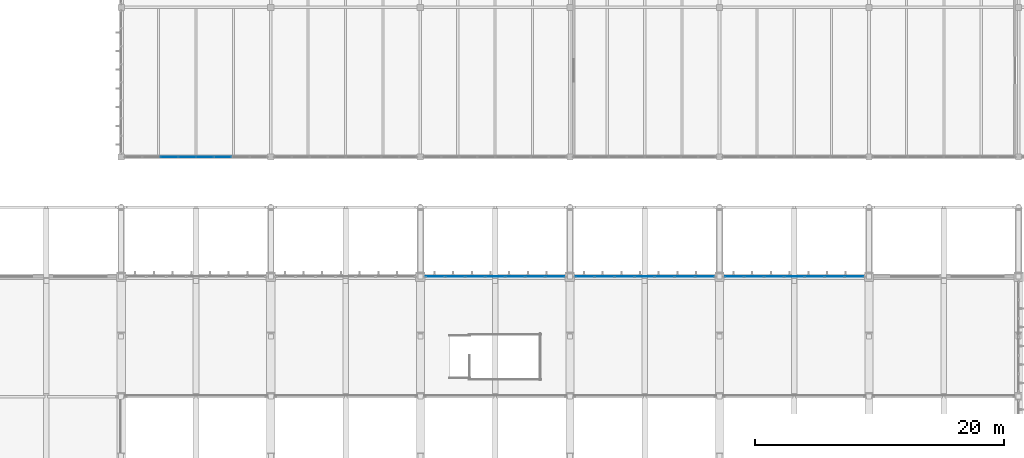
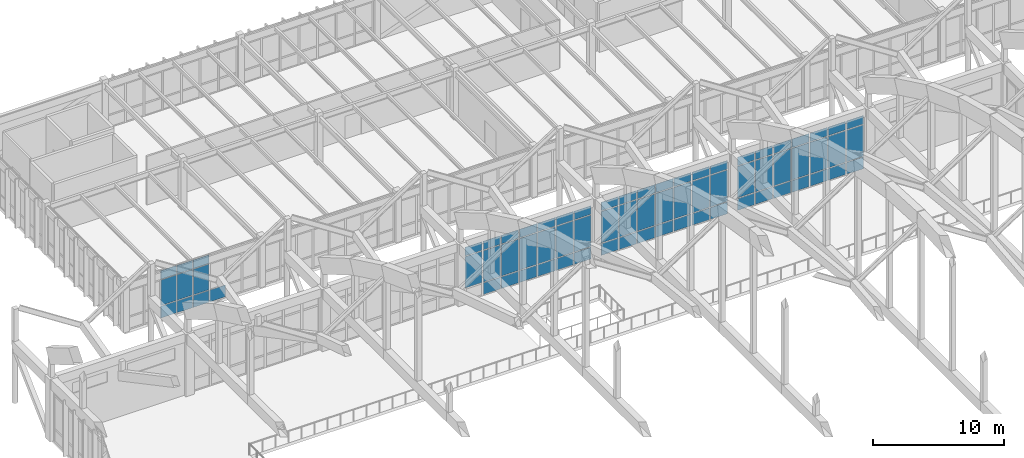
# One storey, part 195 of 236: 72 plates, 4 elements without a shape of their own.
"""IFC4 building model written with IfcOpenShell, lengths in metres."""

from ifc_helpers import new_model, si_unit, direction, frame, origin, origin_2d, place, context, subcontext, project, spatial, rectangle, extrude, material, layer, layer_set, type_object, element, aggregate, save


model = new_model("IFC4")

# Units and contexts
model_context = context("Model", 3, precision=1e-05, world=origin(), true_north=direction((0.0, 1.0)))
body_context = subcontext(model_context, "Body", "Model", "MODEL_VIEW")
ifc_project = project(units=[si_unit("LENGTHUNIT", "METRE"), si_unit("AREAUNIT", "SQUARE_METRE"), si_unit("VOLUMEUNIT", "CUBIC_METRE"), si_unit("PLANEANGLEUNIT", "RADIAN"), si_unit("MASSUNIT", "GRAM", prefix="KILO")], contexts=[model_context])

# Site, building, storey
site_placement = place(None, origin())
site = spatial("IfcSite", under=ifc_project, at=site_placement, CompositionType="ELEMENT")
building_placement = place(site_placement, origin())
building = spatial("IfcBuilding", under=site, at=building_placement, Name="Pandanus Reach Market Hall", CompositionType="ELEMENT")
storey_placement = place(building_placement, frame((0.0, 0.0, 5.39990234375)))
storey = spatial("IfcBuildingStorey", under=building, at=storey_placement, Name="L01", CompositionType="ELEMENT", Elevation=5.39990234375)

# Curtain wall, plates
ifc_material_1 = material(Name="Bronze anodised aluminium and low-E glass", Category="aluminium")
ifc_layer_1 = layer(ifc_material_1, 0.159912109375, Name="CW-38")
ifc_layer_set_1 = layer_set([ifc_layer_1], Name="Bronze anodised aluminium and low-E glass")
curtain_wall_type_1 = type_object("IfcCurtainWallType", Name="CW-38", PredefinedType="NOTDEFINED", material=ifc_layer_set_1)
curtain_wall_1_placement = place(storey_placement, origin())
curtain_wall_1 = element("IfcCurtainWall", 1, at=curtain_wall_1_placement, inside=storey, type_object=curtain_wall_type_1, Name="Glazed curtain wall CW-38 CW-0135", PredefinedType="NOTDEFINED")
ifc_material_2 = material(Name="Solar-control double glazing", Category="glass")
ifc_layer_2 = layer(ifc_material_2, 0.028076171875, Name="CW-P1")
ifc_layer_set_2 = layer_set([ifc_layer_2], Name="Solar-control double glazing")
plate_type_1 = type_object("IfcPlateType", Name="CW-P1", PredefinedType="CURTAIN_PANEL", material=ifc_layer_set_2)
plate_1_placement = place(storey_placement, frame((63.84375, 96.0, 0.065185546875), z_axis=(0.0, 0.0, 1.0), x_axis=(1.0, 0.0, 0.0)))
plate_1 = element("IfcPlate", 2, at=plate_1_placement, type_object=plate_type_1, Name="CW-38 panel 3.1", PredefinedType="CURTAIN_PANEL", context=body_context, shape_type="SweptSolid", body=[
    extrude(rectangle(XDim=1.37255859375, YDim=0.028076171875, at=origin_2d()), origin(), (0.0, 0.0, 1.0), 1.1025390625),
])
plate_2_placement = place(storey_placement, frame((63.84375, 96.0, 1.232421875), z_axis=(0.0, 0.0, 1.0), x_axis=(1.0, 0.0, 0.0)))
plate_2 = element("IfcPlate", 3, at=plate_2_placement, type_object=plate_type_1, Name="CW-38 panel 3.2", PredefinedType="CURTAIN_PANEL", context=body_context, shape_type="SweptSolid", body=[
    extrude(rectangle(XDim=1.37255859375, YDim=0.028076171875, at=origin_2d()), origin(), (0.0, 0.0, 1.0), 2.385009765625),
])
plate_3_placement = place(storey_placement, frame((63.84375, 96.0, 3.6826171875), z_axis=(0.0, 0.0, 1.0), x_axis=(1.0, 0.0, 0.0)))
plate_3 = element("IfcPlate", 4, at=plate_3_placement, type_object=plate_type_1, Name="CW-38 panel 3.3", PredefinedType="CURTAIN_PANEL", context=body_context, shape_type="SweptSolid", body=[
    extrude(rectangle(XDim=1.37255859375, YDim=0.028076171875, at=origin_2d()), origin(), (0.0, 0.0, 1.0), 0.802490234375),
])
plate_4_placement = place(storey_placement, frame((65.28125, 96.0, 0.065185546875), z_axis=(0.0, 0.0, 1.0), x_axis=(1.0, 0.0, 0.0)))
plate_4 = element("IfcPlate", 5, at=plate_4_placement, type_object=plate_type_1, Name="CW-38 panel 4.1", PredefinedType="CURTAIN_PANEL", context=body_context, shape_type="SweptSolid", body=[
    extrude(rectangle(XDim=1.37255859375, YDim=0.028076171875, at=origin_2d()), origin(), (0.0, 0.0, 1.0), 1.1025390625),
])
plate_5_placement = place(storey_placement, frame((65.28125, 96.0, 1.232421875), z_axis=(0.0, 0.0, 1.0), x_axis=(1.0, 0.0, 0.0)))
plate_5 = element("IfcPlate", 6, at=plate_5_placement, type_object=plate_type_1, Name="CW-38 panel 4.2", PredefinedType="CURTAIN_PANEL", context=body_context, shape_type="SweptSolid", body=[
    extrude(rectangle(XDim=1.37255859375, YDim=0.028076171875, at=origin_2d()), origin(), (0.0, 0.0, 1.0), 2.385009765625),
])
plate_6_placement = place(storey_placement, frame((65.28125, 96.0, 3.6826171875), z_axis=(0.0, 0.0, 1.0), x_axis=(1.0, 0.0, 0.0)))
plate_6 = element("IfcPlate", 7, at=plate_6_placement, type_object=plate_type_1, Name="CW-38 panel 4.3", PredefinedType="CURTAIN_PANEL", context=body_context, shape_type="SweptSolid", body=[
    extrude(rectangle(XDim=1.37255859375, YDim=0.028076171875, at=origin_2d()), origin(), (0.0, 0.0, 1.0), 0.802490234375),
])
plate_7_placement = place(storey_placement, frame((66.71875, 96.0, 0.065185546875), z_axis=(0.0, 0.0, 1.0), x_axis=(1.0, 0.0, 0.0)))
plate_7 = element("IfcPlate", 8, at=plate_7_placement, type_object=plate_type_1, Name="CW-38 panel 5.1", PredefinedType="CURTAIN_PANEL", context=body_context, shape_type="SweptSolid", body=[
    extrude(rectangle(XDim=1.37255859375, YDim=0.028076171875, at=origin_2d()), origin(), (0.0, 0.0, 1.0), 1.1025390625),
])
plate_8_placement = place(storey_placement, frame((66.71875, 96.0, 1.232421875), z_axis=(0.0, 0.0, 1.0), x_axis=(1.0, 0.0, 0.0)))
plate_8 = element("IfcPlate", 9, at=plate_8_placement, type_object=plate_type_1, Name="CW-38 panel 5.2", PredefinedType="CURTAIN_PANEL", context=body_context, shape_type="SweptSolid", body=[
    extrude(rectangle(XDim=1.37255859375, YDim=0.028076171875, at=origin_2d()), origin(), (0.0, 0.0, 1.0), 2.385009765625),
])
plate_9_placement = place(storey_placement, frame((66.71875, 96.0, 3.6826171875), z_axis=(0.0, 0.0, 1.0), x_axis=(1.0, 0.0, 0.0)))
plate_9 = element("IfcPlate", 10, at=plate_9_placement, type_object=plate_type_1, Name="CW-38 panel 5.3", PredefinedType="CURTAIN_PANEL", context=body_context, shape_type="SweptSolid", body=[
    extrude(rectangle(XDim=1.37255859375, YDim=0.028076171875, at=origin_2d()), origin(), (0.0, 0.0, 1.0), 0.802490234375),
])
plate_10_placement = place(storey_placement, frame((68.15625, 96.0, 0.065185546875), z_axis=(0.0, 0.0, 1.0), x_axis=(1.0, 0.0, 0.0)))
plate_10 = element("IfcPlate", 11, at=plate_10_placement, type_object=plate_type_1, Name="CW-38 panel 6.1", PredefinedType="CURTAIN_PANEL", context=body_context, shape_type="SweptSolid", body=[
    extrude(rectangle(XDim=1.37255859375, YDim=0.028076171875, at=origin_2d()), origin(), (0.0, 0.0, 1.0), 1.1025390625),
])
aggregate(curtain_wall_1, [plate_1, plate_2, plate_3, plate_4, plate_5, plate_6, plate_7, plate_8, plate_9, plate_10])

ifc_layer_3 = layer(ifc_material_1, 0.199951171875, Name="CW-02")
ifc_layer_set_3 = layer_set([ifc_layer_3], Name="Bronze anodised aluminium and low-E glass")
curtain_wall_type_2 = type_object("IfcCurtainWallType", Name="CW-02", PredefinedType="NOTDEFINED", material=ifc_layer_set_3)
curtain_wall_2_placement = place(storey_placement, origin())
curtain_wall_2 = element("IfcCurtainWall", 12, at=curtain_wall_2_placement, inside=storey, type_object=curtain_wall_type_2, Name="Glazed curtain wall CW-02 CW-0013", PredefinedType="NOTDEFINED")
ifc_material_3 = material(Name="Acoustic laminated solar double glazing", Category="glass")
ifc_layer_4 = layer(ifc_material_3, 0.031982421875, Name="CW-P2")
ifc_layer_set_4 = layer_set([ifc_layer_4], Name="Acoustic laminated solar double glazing")
plate_type_2 = type_object("IfcPlateType", Name="CW-P2", PredefinedType="CURTAIN_PANEL", material=ifc_layer_set_4)
plate_11_placement = place(storey_placement, frame((85.197265625, 86.39990234375, 1.23779296875), z_axis=(0.0, 0.0, 1.0), x_axis=(1.0, 0.0, 0.0)))
plate_11 = element("IfcPlate", 13, at=plate_11_placement, type_object=plate_type_2, Name="CW-02 panel 1.2", PredefinedType="CURTAIN_PANEL", context=body_context, shape_type="SweptSolid", body=[
    extrude(rectangle(XDim=1.49462890625, YDim=0.031982421875, at=origin_2d()), origin(), (0.0, 0.0, 1.0), 2.925048828125),
])
plate_12_placement = place(storey_placement, frame((85.197265625, 86.39990234375, 4.237548828125), z_axis=(0.0, 0.0, 1.0), x_axis=(1.0, 0.0, 0.0)))
plate_12 = element("IfcPlate", 14, at=plate_12_placement, type_object=plate_type_2, Name="CW-02 panel 1.3", PredefinedType="CURTAIN_PANEL", context=body_context, shape_type="SweptSolid", body=[
    extrude(rectangle(XDim=1.49462890625, YDim=0.031982421875, at=origin_2d()), origin(), (0.0, 0.0, 1.0), 0.78759765625),
])
plate_13_placement = place(storey_placement, frame((86.78564453125, 86.39990234375, 0.0751953125), z_axis=(0.0, 0.0, 1.0), x_axis=(1.0, 0.0, 0.0)))
plate_13 = element("IfcPlate", 15, at=plate_13_placement, type_object=plate_type_2, Name="CW-02 panel 2.1", PredefinedType="CURTAIN_PANEL", context=body_context, shape_type="SweptSolid", body=[
    extrude(rectangle(XDim=1.5322265625, YDim=0.031982421875, at=origin_2d()), origin(), (0.0, 0.0, 1.0), 1.08740234375),
])
plate_14_placement = place(storey_placement, frame((86.78564453125, 86.39990234375, 1.23779296875), z_axis=(0.0, 0.0, 1.0), x_axis=(1.0, 0.0, 0.0)))
plate_14 = element("IfcPlate", 16, at=plate_14_placement, type_object=plate_type_2, Name="CW-02 panel 2.2", PredefinedType="CURTAIN_PANEL", context=body_context, shape_type="SweptSolid", body=[
    extrude(rectangle(XDim=1.5322265625, YDim=0.031982421875, at=origin_2d()), origin(), (0.0, 0.0, 1.0), 2.925048828125),
])
plate_15_placement = place(storey_placement, frame((86.78564453125, 86.39990234375, 4.237548828125), z_axis=(0.0, 0.0, 1.0), x_axis=(1.0, 0.0, 0.0)))
plate_15 = element("IfcPlate", 17, at=plate_15_placement, type_object=plate_type_2, Name="CW-02 panel 2.3", PredefinedType="CURTAIN_PANEL", context=body_context, shape_type="SweptSolid", body=[
    extrude(rectangle(XDim=1.5322265625, YDim=0.031982421875, at=origin_2d()), origin(), (0.0, 0.0, 1.0), 0.78759765625),
])
plate_16_placement = place(storey_placement, frame((88.392822265625, 86.39990234375, 0.0751953125), z_axis=(0.0, 0.0, 1.0), x_axis=(1.0, 0.0, 0.0)))
plate_16 = element("IfcPlate", 18, at=plate_16_placement, type_object=plate_type_2, Name="CW-02 panel 3.1", PredefinedType="CURTAIN_PANEL", context=body_context, shape_type="SweptSolid", body=[
    extrude(rectangle(XDim=1.5322265625, YDim=0.031982421875, at=origin_2d()), origin(), (0.0, 0.0, 1.0), 1.08740234375),
])
plate_17_placement = place(storey_placement, frame((88.392822265625, 86.39990234375, 1.23779296875), z_axis=(0.0, 0.0, 1.0), x_axis=(1.0, 0.0, 0.0)))
plate_17 = element("IfcPlate", 19, at=plate_17_placement, type_object=plate_type_2, Name="CW-02 panel 3.2", PredefinedType="CURTAIN_PANEL", context=body_context, shape_type="SweptSolid", body=[
    extrude(rectangle(XDim=1.5322265625, YDim=0.031982421875, at=origin_2d()), origin(), (0.0, 0.0, 1.0), 2.925048828125),
])
plate_18_placement = place(storey_placement, frame((88.392822265625, 86.39990234375, 4.237548828125), z_axis=(0.0, 0.0, 1.0), x_axis=(1.0, 0.0, 0.0)))
plate_18 = element("IfcPlate", 20, at=plate_18_placement, type_object=plate_type_2, Name="CW-02 panel 3.3", PredefinedType="CURTAIN_PANEL", context=body_context, shape_type="SweptSolid", body=[
    extrude(rectangle(XDim=1.5322265625, YDim=0.031982421875, at=origin_2d()), origin(), (0.0, 0.0, 1.0), 0.78759765625),
])
plate_19_placement = place(storey_placement, frame((90.0, 86.39990234375, 0.0751953125), z_axis=(0.0, 0.0, 1.0), x_axis=(1.0, 0.0, 0.0)))
plate_19 = element("IfcPlate", 21, at=plate_19_placement, type_object=plate_type_2, Name="CW-02 panel 4.1", PredefinedType="CURTAIN_PANEL", context=body_context, shape_type="SweptSolid", body=[
    extrude(rectangle(XDim=1.5322265625, YDim=0.031982421875, at=origin_2d()), origin(), (0.0, 0.0, 1.0), 1.08740234375),
])
plate_20_placement = place(storey_placement, frame((90.0, 86.39990234375, 1.23779296875), z_axis=(0.0, 0.0, 1.0), x_axis=(1.0, 0.0, 0.0)))
plate_20 = element("IfcPlate", 22, at=plate_20_placement, type_object=plate_type_2, Name="CW-02 panel 4.2", PredefinedType="CURTAIN_PANEL", context=body_context, shape_type="SweptSolid", body=[
    extrude(rectangle(XDim=1.5322265625, YDim=0.031982421875, at=origin_2d()), origin(), (0.0, 0.0, 1.0), 2.925048828125),
])
plate_21_placement = place(storey_placement, frame((90.0, 86.39990234375, 4.237548828125), z_axis=(0.0, 0.0, 1.0), x_axis=(1.0, 0.0, 0.0)))
plate_21 = element("IfcPlate", 23, at=plate_21_placement, type_object=plate_type_2, Name="CW-02 panel 4.3", PredefinedType="CURTAIN_PANEL", context=body_context, shape_type="SweptSolid", body=[
    extrude(rectangle(XDim=1.5322265625, YDim=0.031982421875, at=origin_2d()), origin(), (0.0, 0.0, 1.0), 0.78759765625),
])
plate_22_placement = place(storey_placement, frame((91.607177734375, 86.39990234375, 0.0751953125), z_axis=(0.0, 0.0, 1.0), x_axis=(1.0, 0.0, 0.0)))
plate_22 = element("IfcPlate", 24, at=plate_22_placement, type_object=plate_type_2, Name="CW-02 panel 5.1", PredefinedType="CURTAIN_PANEL", context=body_context, shape_type="SweptSolid", body=[
    extrude(rectangle(XDim=1.5322265625, YDim=0.031982421875, at=origin_2d()), origin(), (0.0, 0.0, 1.0), 1.08740234375),
])
plate_23_placement = place(storey_placement, frame((91.607177734375, 86.39990234375, 1.23779296875), z_axis=(0.0, 0.0, 1.0), x_axis=(1.0, 0.0, 0.0)))
plate_23 = element("IfcPlate", 25, at=plate_23_placement, type_object=plate_type_2, Name="CW-02 panel 5.2", PredefinedType="CURTAIN_PANEL", context=body_context, shape_type="SweptSolid", body=[
    extrude(rectangle(XDim=1.5322265625, YDim=0.031982421875, at=origin_2d()), origin(), (0.0, 0.0, 1.0), 2.925048828125),
])
plate_24_placement = place(storey_placement, frame((91.607177734375, 86.39990234375, 4.237548828125), z_axis=(0.0, 0.0, 1.0), x_axis=(1.0, 0.0, 0.0)))
plate_24 = element("IfcPlate", 26, at=plate_24_placement, type_object=plate_type_2, Name="CW-02 panel 5.3", PredefinedType="CURTAIN_PANEL", context=body_context, shape_type="SweptSolid", body=[
    extrude(rectangle(XDim=1.5322265625, YDim=0.031982421875, at=origin_2d()), origin(), (0.0, 0.0, 1.0), 0.78759765625),
])
plate_25_placement = place(storey_placement, frame((93.21435546875, 86.39990234375, 0.0751953125), z_axis=(0.0, 0.0, 1.0), x_axis=(1.0, 0.0, 0.0)))
plate_25 = element("IfcPlate", 27, at=plate_25_placement, type_object=plate_type_2, Name="CW-02 panel 6.1", PredefinedType="CURTAIN_PANEL", context=body_context, shape_type="SweptSolid", body=[
    extrude(rectangle(XDim=1.5322265625, YDim=0.031982421875, at=origin_2d()), origin(), (0.0, 0.0, 1.0), 1.08740234375),
])
plate_26_placement = place(storey_placement, frame((93.21435546875, 86.39990234375, 1.23779296875), z_axis=(0.0, 0.0, 1.0), x_axis=(1.0, 0.0, 0.0)))
plate_26 = element("IfcPlate", 28, at=plate_26_placement, type_object=plate_type_2, Name="CW-02 panel 6.2", PredefinedType="CURTAIN_PANEL", context=body_context, shape_type="SweptSolid", body=[
    extrude(rectangle(XDim=1.5322265625, YDim=0.031982421875, at=origin_2d()), origin(), (0.0, 0.0, 1.0), 2.925048828125),
])
plate_27_placement = place(storey_placement, frame((93.21435546875, 86.39990234375, 4.237548828125), z_axis=(0.0, 0.0, 1.0), x_axis=(1.0, 0.0, 0.0)))
plate_27 = element("IfcPlate", 29, at=plate_27_placement, type_object=plate_type_2, Name="CW-02 panel 6.3", PredefinedType="CURTAIN_PANEL", context=body_context, shape_type="SweptSolid", body=[
    extrude(rectangle(XDim=1.5322265625, YDim=0.031982421875, at=origin_2d()), origin(), (0.0, 0.0, 1.0), 0.78759765625),
])
plate_28_placement = place(storey_placement, frame((94.802734375, 86.39990234375, 0.0751953125), z_axis=(0.0, 0.0, 1.0), x_axis=(1.0, 0.0, 0.0)))
plate_28 = element("IfcPlate", 30, at=plate_28_placement, type_object=plate_type_2, Name="CW-02 panel 7.1", PredefinedType="CURTAIN_PANEL", context=body_context, shape_type="SweptSolid", body=[
    extrude(rectangle(XDim=1.49462890625, YDim=0.031982421875, at=origin_2d()), origin(), (0.0, 0.0, 1.0), 1.08740234375),
])
plate_29_placement = place(storey_placement, frame((94.802734375, 86.39990234375, 1.23779296875), z_axis=(0.0, 0.0, 1.0), x_axis=(1.0, 0.0, 0.0)))
plate_29 = element("IfcPlate", 31, at=plate_29_placement, type_object=plate_type_2, Name="CW-02 panel 7.2", PredefinedType="CURTAIN_PANEL", context=body_context, shape_type="SweptSolid", body=[
    extrude(rectangle(XDim=1.49462890625, YDim=0.031982421875, at=origin_2d()), origin(), (0.0, 0.0, 1.0), 2.925048828125),
])
plate_30_placement = place(storey_placement, frame((94.802734375, 86.39990234375, 4.237548828125), z_axis=(0.0, 0.0, 1.0), x_axis=(1.0, 0.0, 0.0)))
plate_30 = element("IfcPlate", 32, at=plate_30_placement, type_object=plate_type_2, Name="CW-02 panel 7.3", PredefinedType="CURTAIN_PANEL", context=body_context, shape_type="SweptSolid", body=[
    extrude(rectangle(XDim=1.49462890625, YDim=0.031982421875, at=origin_2d()), origin(), (0.0, 0.0, 1.0), 0.78759765625),
])
aggregate(curtain_wall_2, [plate_11, plate_12, plate_13, plate_14, plate_15, plate_16, plate_17, plate_18, plate_19, plate_20, plate_21, plate_22, plate_23, plate_24, plate_25, plate_26, plate_27, plate_28, plate_29, plate_30])

curtain_wall_3_placement = place(storey_placement, origin())
curtain_wall_3 = element("IfcCurtainWall", 33, at=curtain_wall_3_placement, inside=storey, type_object=curtain_wall_type_2, Name="Glazed curtain wall CW-02 CW-0015", PredefinedType="NOTDEFINED")
plate_31_placement = place(storey_placement, frame((97.197265625, 86.39990234375, 0.0751953125), z_axis=(0.0, 0.0, 1.0), x_axis=(1.0, 0.0, 0.0)))
plate_31 = element("IfcPlate", 34, at=plate_31_placement, type_object=plate_type_2, Name="CW-02 panel 1.1", PredefinedType="CURTAIN_PANEL", context=body_context, shape_type="SweptSolid", body=[
    extrude(rectangle(XDim=1.49462890625, YDim=0.031982421875, at=origin_2d()), origin(), (0.0, 0.0, 1.0), 1.08740234375),
])
plate_32_placement = place(storey_placement, frame((97.197265625, 86.39990234375, 1.23779296875), z_axis=(0.0, 0.0, 1.0), x_axis=(1.0, 0.0, 0.0)))
plate_32 = element("IfcPlate", 35, at=plate_32_placement, type_object=plate_type_2, Name="CW-02 panel 1.2", PredefinedType="CURTAIN_PANEL", context=body_context, shape_type="SweptSolid", body=[
    extrude(rectangle(XDim=1.49462890625, YDim=0.031982421875, at=origin_2d()), origin(), (0.0, 0.0, 1.0), 2.925048828125),
])
plate_33_placement = place(storey_placement, frame((97.197265625, 86.39990234375, 4.237548828125), z_axis=(0.0, 0.0, 1.0), x_axis=(1.0, 0.0, 0.0)))
plate_33 = element("IfcPlate", 36, at=plate_33_placement, type_object=plate_type_2, Name="CW-02 panel 1.3", PredefinedType="CURTAIN_PANEL", context=body_context, shape_type="SweptSolid", body=[
    extrude(rectangle(XDim=1.49462890625, YDim=0.031982421875, at=origin_2d()), origin(), (0.0, 0.0, 1.0), 0.78759765625),
])
plate_34_placement = place(storey_placement, frame((98.78564453125, 86.39990234375, 0.0751953125), z_axis=(0.0, 0.0, 1.0), x_axis=(1.0, 0.0, 0.0)))
plate_34 = element("IfcPlate", 37, at=plate_34_placement, type_object=plate_type_2, Name="CW-02 panel 2.1", PredefinedType="CURTAIN_PANEL", context=body_context, shape_type="SweptSolid", body=[
    extrude(rectangle(XDim=1.5322265625, YDim=0.031982421875, at=origin_2d()), origin(), (0.0, 0.0, 1.0), 1.08740234375),
])
plate_35_placement = place(storey_placement, frame((98.78564453125, 86.39990234375, 1.23779296875), z_axis=(0.0, 0.0, 1.0), x_axis=(1.0, 0.0, 0.0)))
plate_35 = element("IfcPlate", 38, at=plate_35_placement, type_object=plate_type_2, Name="CW-02 panel 2.2", PredefinedType="CURTAIN_PANEL", context=body_context, shape_type="SweptSolid", body=[
    extrude(rectangle(XDim=1.5322265625, YDim=0.031982421875, at=origin_2d()), origin(), (0.0, 0.0, 1.0), 2.925048828125),
])
plate_36_placement = place(storey_placement, frame((98.78564453125, 86.39990234375, 4.237548828125), z_axis=(0.0, 0.0, 1.0), x_axis=(1.0, 0.0, 0.0)))
plate_36 = element("IfcPlate", 39, at=plate_36_placement, type_object=plate_type_2, Name="CW-02 panel 2.3", PredefinedType="CURTAIN_PANEL", context=body_context, shape_type="SweptSolid", body=[
    extrude(rectangle(XDim=1.5322265625, YDim=0.031982421875, at=origin_2d()), origin(), (0.0, 0.0, 1.0), 0.78759765625),
])
plate_37_placement = place(storey_placement, frame((100.392822265625, 86.39990234375, 0.0751953125), z_axis=(0.0, 0.0, 1.0), x_axis=(1.0, 0.0, 0.0)))
plate_37 = element("IfcPlate", 40, at=plate_37_placement, type_object=plate_type_2, Name="CW-02 panel 3.1", PredefinedType="CURTAIN_PANEL", context=body_context, shape_type="SweptSolid", body=[
    extrude(rectangle(XDim=1.5322265625, YDim=0.031982421875, at=origin_2d()), origin(), (0.0, 0.0, 1.0), 1.08740234375),
])
plate_38_placement = place(storey_placement, frame((100.392822265625, 86.39990234375, 1.23779296875), z_axis=(0.0, 0.0, 1.0), x_axis=(1.0, 0.0, 0.0)))
plate_38 = element("IfcPlate", 41, at=plate_38_placement, type_object=plate_type_2, Name="CW-02 panel 3.2", PredefinedType="CURTAIN_PANEL", context=body_context, shape_type="SweptSolid", body=[
    extrude(rectangle(XDim=1.5322265625, YDim=0.031982421875, at=origin_2d()), origin(), (0.0, 0.0, 1.0), 2.925048828125),
])
plate_39_placement = place(storey_placement, frame((100.392822265625, 86.39990234375, 4.237548828125), z_axis=(0.0, 0.0, 1.0), x_axis=(1.0, 0.0, 0.0)))
plate_39 = element("IfcPlate", 42, at=plate_39_placement, type_object=plate_type_2, Name="CW-02 panel 3.3", PredefinedType="CURTAIN_PANEL", context=body_context, shape_type="SweptSolid", body=[
    extrude(rectangle(XDim=1.5322265625, YDim=0.031982421875, at=origin_2d()), origin(), (0.0, 0.0, 1.0), 0.78759765625),
])
plate_40_placement = place(storey_placement, frame((102.0, 86.39990234375, 0.0751953125), z_axis=(0.0, 0.0, 1.0), x_axis=(1.0, 0.0, 0.0)))
plate_40 = element("IfcPlate", 43, at=plate_40_placement, type_object=plate_type_2, Name="CW-02 panel 4.1", PredefinedType="CURTAIN_PANEL", context=body_context, shape_type="SweptSolid", body=[
    extrude(rectangle(XDim=1.5322265625, YDim=0.031982421875, at=origin_2d()), origin(), (0.0, 0.0, 1.0), 1.08740234375),
])
plate_41_placement = place(storey_placement, frame((102.0, 86.39990234375, 1.23779296875), z_axis=(0.0, 0.0, 1.0), x_axis=(1.0, 0.0, 0.0)))
plate_41 = element("IfcPlate", 44, at=plate_41_placement, type_object=plate_type_2, Name="CW-02 panel 4.2", PredefinedType="CURTAIN_PANEL", context=body_context, shape_type="SweptSolid", body=[
    extrude(rectangle(XDim=1.5322265625, YDim=0.031982421875, at=origin_2d()), origin(), (0.0, 0.0, 1.0), 2.925048828125),
])
plate_42_placement = place(storey_placement, frame((102.0, 86.39990234375, 4.237548828125), z_axis=(0.0, 0.0, 1.0), x_axis=(1.0, 0.0, 0.0)))
plate_42 = element("IfcPlate", 45, at=plate_42_placement, type_object=plate_type_2, Name="CW-02 panel 4.3", PredefinedType="CURTAIN_PANEL", context=body_context, shape_type="SweptSolid", body=[
    extrude(rectangle(XDim=1.5322265625, YDim=0.031982421875, at=origin_2d()), origin(), (0.0, 0.0, 1.0), 0.78759765625),
])
plate_43_placement = place(storey_placement, frame((103.607177734375, 86.39990234375, 0.0751953125), z_axis=(0.0, 0.0, 1.0), x_axis=(1.0, 0.0, 0.0)))
plate_43 = element("IfcPlate", 46, at=plate_43_placement, type_object=plate_type_2, Name="CW-02 panel 5.1", PredefinedType="CURTAIN_PANEL", context=body_context, shape_type="SweptSolid", body=[
    extrude(rectangle(XDim=1.5322265625, YDim=0.031982421875, at=origin_2d()), origin(), (0.0, 0.0, 1.0), 1.08740234375),
])
plate_44_placement = place(storey_placement, frame((103.607177734375, 86.39990234375, 1.23779296875), z_axis=(0.0, 0.0, 1.0), x_axis=(1.0, 0.0, 0.0)))
plate_44 = element("IfcPlate", 47, at=plate_44_placement, type_object=plate_type_2, Name="CW-02 panel 5.2", PredefinedType="CURTAIN_PANEL", context=body_context, shape_type="SweptSolid", body=[
    extrude(rectangle(XDim=1.5322265625, YDim=0.031982421875, at=origin_2d()), origin(), (0.0, 0.0, 1.0), 2.925048828125),
])
plate_45_placement = place(storey_placement, frame((103.607177734375, 86.39990234375, 4.237548828125), z_axis=(0.0, 0.0, 1.0), x_axis=(1.0, 0.0, 0.0)))
plate_45 = element("IfcPlate", 48, at=plate_45_placement, type_object=plate_type_2, Name="CW-02 panel 5.3", PredefinedType="CURTAIN_PANEL", context=body_context, shape_type="SweptSolid", body=[
    extrude(rectangle(XDim=1.5322265625, YDim=0.031982421875, at=origin_2d()), origin(), (0.0, 0.0, 1.0), 0.78759765625),
])
plate_46_placement = place(storey_placement, frame((105.21435546875, 86.39990234375, 0.0751953125), z_axis=(0.0, 0.0, 1.0), x_axis=(1.0, 0.0, 0.0)))
plate_46 = element("IfcPlate", 49, at=plate_46_placement, type_object=plate_type_2, Name="CW-02 panel 6.1", PredefinedType="CURTAIN_PANEL", context=body_context, shape_type="SweptSolid", body=[
    extrude(rectangle(XDim=1.5322265625, YDim=0.031982421875, at=origin_2d()), origin(), (0.0, 0.0, 1.0), 1.08740234375),
])
plate_47_placement = place(storey_placement, frame((105.21435546875, 86.39990234375, 1.23779296875), z_axis=(0.0, 0.0, 1.0), x_axis=(1.0, 0.0, 0.0)))
plate_47 = element("IfcPlate", 50, at=plate_47_placement, type_object=plate_type_2, Name="CW-02 panel 6.2", PredefinedType="CURTAIN_PANEL", context=body_context, shape_type="SweptSolid", body=[
    extrude(rectangle(XDim=1.5322265625, YDim=0.031982421875, at=origin_2d()), origin(), (0.0, 0.0, 1.0), 2.925048828125),
])
plate_48_placement = place(storey_placement, frame((105.21435546875, 86.39990234375, 4.237548828125), z_axis=(0.0, 0.0, 1.0), x_axis=(1.0, 0.0, 0.0)))
plate_48 = element("IfcPlate", 51, at=plate_48_placement, type_object=plate_type_2, Name="CW-02 panel 6.3", PredefinedType="CURTAIN_PANEL", context=body_context, shape_type="SweptSolid", body=[
    extrude(rectangle(XDim=1.5322265625, YDim=0.031982421875, at=origin_2d()), origin(), (0.0, 0.0, 1.0), 0.78759765625),
])
plate_49_placement = place(storey_placement, frame((106.802734375, 86.39990234375, 0.0751953125), z_axis=(0.0, 0.0, 1.0), x_axis=(1.0, 0.0, 0.0)))
plate_49 = element("IfcPlate", 52, at=plate_49_placement, type_object=plate_type_2, Name="CW-02 panel 7.1", PredefinedType="CURTAIN_PANEL", context=body_context, shape_type="SweptSolid", body=[
    extrude(rectangle(XDim=1.49462890625, YDim=0.031982421875, at=origin_2d()), origin(), (0.0, 0.0, 1.0), 1.08740234375),
])
plate_50_placement = place(storey_placement, frame((106.802734375, 86.39990234375, 1.23779296875), z_axis=(0.0, 0.0, 1.0), x_axis=(1.0, 0.0, 0.0)))
plate_50 = element("IfcPlate", 53, at=plate_50_placement, type_object=plate_type_2, Name="CW-02 panel 7.2", PredefinedType="CURTAIN_PANEL", context=body_context, shape_type="SweptSolid", body=[
    extrude(rectangle(XDim=1.49462890625, YDim=0.031982421875, at=origin_2d()), origin(), (0.0, 0.0, 1.0), 2.925048828125),
])
plate_51_placement = place(storey_placement, frame((106.802734375, 86.39990234375, 4.237548828125), z_axis=(0.0, 0.0, 1.0), x_axis=(1.0, 0.0, 0.0)))
plate_51 = element("IfcPlate", 54, at=plate_51_placement, type_object=plate_type_2, Name="CW-02 panel 7.3", PredefinedType="CURTAIN_PANEL", context=body_context, shape_type="SweptSolid", body=[
    extrude(rectangle(XDim=1.49462890625, YDim=0.031982421875, at=origin_2d()), origin(), (0.0, 0.0, 1.0), 0.78759765625),
])
aggregate(curtain_wall_3, [plate_31, plate_32, plate_33, plate_34, plate_35, plate_36, plate_37, plate_38, plate_39, plate_40, plate_41, plate_42, plate_43, plate_44, plate_45, plate_46, plate_47, plate_48, plate_49, plate_50, plate_51])

curtain_wall_4_placement = place(storey_placement, origin())
curtain_wall_4 = element("IfcCurtainWall", 55, at=curtain_wall_4_placement, inside=storey, type_object=curtain_wall_type_2, Name="Glazed curtain wall CW-02 CW-0016", PredefinedType="NOTDEFINED")
plate_52_placement = place(storey_placement, frame((109.197265625, 86.39990234375, 0.0751953125), z_axis=(0.0, 0.0, 1.0), x_axis=(1.0, 0.0, 0.0)))
plate_52 = element("IfcPlate", 56, at=plate_52_placement, type_object=plate_type_2, Name="CW-02 panel 1.1", PredefinedType="CURTAIN_PANEL", context=body_context, shape_type="SweptSolid", body=[
    extrude(rectangle(XDim=1.49462890625, YDim=0.031982421875, at=origin_2d()), origin(), (0.0, 0.0, 1.0), 1.08740234375),
])
plate_53_placement = place(storey_placement, frame((109.197265625, 86.39990234375, 1.23779296875), z_axis=(0.0, 0.0, 1.0), x_axis=(1.0, 0.0, 0.0)))
plate_53 = element("IfcPlate", 57, at=plate_53_placement, type_object=plate_type_2, Name="CW-02 panel 1.2", PredefinedType="CURTAIN_PANEL", context=body_context, shape_type="SweptSolid", body=[
    extrude(rectangle(XDim=1.49462890625, YDim=0.031982421875, at=origin_2d()), origin(), (0.0, 0.0, 1.0), 2.925048828125),
])
plate_54_placement = place(storey_placement, frame((109.197265625, 86.39990234375, 4.237548828125), z_axis=(0.0, 0.0, 1.0), x_axis=(1.0, 0.0, 0.0)))
plate_54 = element("IfcPlate", 58, at=plate_54_placement, type_object=plate_type_2, Name="CW-02 panel 1.3", PredefinedType="CURTAIN_PANEL", context=body_context, shape_type="SweptSolid", body=[
    extrude(rectangle(XDim=1.49462890625, YDim=0.031982421875, at=origin_2d()), origin(), (0.0, 0.0, 1.0), 0.78759765625),
])
plate_55_placement = place(storey_placement, frame((110.78564453125, 86.39990234375, 0.0751953125), z_axis=(0.0, 0.0, 1.0), x_axis=(1.0, 0.0, 0.0)))
plate_55 = element("IfcPlate", 59, at=plate_55_placement, type_object=plate_type_2, Name="CW-02 panel 2.1", PredefinedType="CURTAIN_PANEL", context=body_context, shape_type="SweptSolid", body=[
    extrude(rectangle(XDim=1.5322265625, YDim=0.031982421875, at=origin_2d()), origin(), (0.0, 0.0, 1.0), 1.08740234375),
])
plate_56_placement = place(storey_placement, frame((110.78564453125, 86.39990234375, 1.23779296875), z_axis=(0.0, 0.0, 1.0), x_axis=(1.0, 0.0, 0.0)))
plate_56 = element("IfcPlate", 60, at=plate_56_placement, type_object=plate_type_2, Name="CW-02 panel 2.2", PredefinedType="CURTAIN_PANEL", context=body_context, shape_type="SweptSolid", body=[
    extrude(rectangle(XDim=1.5322265625, YDim=0.031982421875, at=origin_2d()), origin(), (0.0, 0.0, 1.0), 2.925048828125),
])
plate_57_placement = place(storey_placement, frame((110.78564453125, 86.39990234375, 4.237548828125), z_axis=(0.0, 0.0, 1.0), x_axis=(1.0, 0.0, 0.0)))
plate_57 = element("IfcPlate", 61, at=plate_57_placement, type_object=plate_type_2, Name="CW-02 panel 2.3", PredefinedType="CURTAIN_PANEL", context=body_context, shape_type="SweptSolid", body=[
    extrude(rectangle(XDim=1.5322265625, YDim=0.031982421875, at=origin_2d()), origin(), (0.0, 0.0, 1.0), 0.78759765625),
])
plate_58_placement = place(storey_placement, frame((112.392822265625, 86.39990234375, 0.0751953125), z_axis=(0.0, 0.0, 1.0), x_axis=(1.0, 0.0, 0.0)))
plate_58 = element("IfcPlate", 62, at=plate_58_placement, type_object=plate_type_2, Name="CW-02 panel 3.1", PredefinedType="CURTAIN_PANEL", context=body_context, shape_type="SweptSolid", body=[
    extrude(rectangle(XDim=1.5322265625, YDim=0.031982421875, at=origin_2d()), origin(), (0.0, 0.0, 1.0), 1.08740234375),
])
plate_59_placement = place(storey_placement, frame((112.392822265625, 86.39990234375, 1.23779296875), z_axis=(0.0, 0.0, 1.0), x_axis=(1.0, 0.0, 0.0)))
plate_59 = element("IfcPlate", 63, at=plate_59_placement, type_object=plate_type_2, Name="CW-02 panel 3.2", PredefinedType="CURTAIN_PANEL", context=body_context, shape_type="SweptSolid", body=[
    extrude(rectangle(XDim=1.5322265625, YDim=0.031982421875, at=origin_2d()), origin(), (0.0, 0.0, 1.0), 2.925048828125),
])
plate_60_placement = place(storey_placement, frame((112.392822265625, 86.39990234375, 4.237548828125), z_axis=(0.0, 0.0, 1.0), x_axis=(1.0, 0.0, 0.0)))
plate_60 = element("IfcPlate", 64, at=plate_60_placement, type_object=plate_type_2, Name="CW-02 panel 3.3", PredefinedType="CURTAIN_PANEL", context=body_context, shape_type="SweptSolid", body=[
    extrude(rectangle(XDim=1.5322265625, YDim=0.031982421875, at=origin_2d()), origin(), (0.0, 0.0, 1.0), 0.78759765625),
])
plate_61_placement = place(storey_placement, frame((114.0, 86.39990234375, 0.0751953125), z_axis=(0.0, 0.0, 1.0), x_axis=(1.0, 0.0, 0.0)))
plate_61 = element("IfcPlate", 65, at=plate_61_placement, type_object=plate_type_2, Name="CW-02 panel 4.1", PredefinedType="CURTAIN_PANEL", context=body_context, shape_type="SweptSolid", body=[
    extrude(rectangle(XDim=1.5322265625, YDim=0.031982421875, at=origin_2d()), origin(), (0.0, 0.0, 1.0), 1.08740234375),
])
plate_62_placement = place(storey_placement, frame((114.0, 86.39990234375, 1.23779296875), z_axis=(0.0, 0.0, 1.0), x_axis=(1.0, 0.0, 0.0)))
plate_62 = element("IfcPlate", 66, at=plate_62_placement, type_object=plate_type_2, Name="CW-02 panel 4.2", PredefinedType="CURTAIN_PANEL", context=body_context, shape_type="SweptSolid", body=[
    extrude(rectangle(XDim=1.5322265625, YDim=0.031982421875, at=origin_2d()), origin(), (0.0, 0.0, 1.0), 2.925048828125),
])
plate_63_placement = place(storey_placement, frame((114.0, 86.39990234375, 4.237548828125), z_axis=(0.0, 0.0, 1.0), x_axis=(1.0, 0.0, 0.0)))
plate_63 = element("IfcPlate", 67, at=plate_63_placement, type_object=plate_type_2, Name="CW-02 panel 4.3", PredefinedType="CURTAIN_PANEL", context=body_context, shape_type="SweptSolid", body=[
    extrude(rectangle(XDim=1.5322265625, YDim=0.031982421875, at=origin_2d()), origin(), (0.0, 0.0, 1.0), 0.78759765625),
])
plate_64_placement = place(storey_placement, frame((115.607177734375, 86.39990234375, 0.0751953125), z_axis=(0.0, 0.0, 1.0), x_axis=(1.0, 0.0, 0.0)))
plate_64 = element("IfcPlate", 68, at=plate_64_placement, type_object=plate_type_2, Name="CW-02 panel 5.1", PredefinedType="CURTAIN_PANEL", context=body_context, shape_type="SweptSolid", body=[
    extrude(rectangle(XDim=1.5322265625, YDim=0.031982421875, at=origin_2d()), origin(), (0.0, 0.0, 1.0), 1.08740234375),
])
plate_65_placement = place(storey_placement, frame((115.607177734375, 86.39990234375, 1.23779296875), z_axis=(0.0, 0.0, 1.0), x_axis=(1.0, 0.0, 0.0)))
plate_65 = element("IfcPlate", 69, at=plate_65_placement, type_object=plate_type_2, Name="CW-02 panel 5.2", PredefinedType="CURTAIN_PANEL", context=body_context, shape_type="SweptSolid", body=[
    extrude(rectangle(XDim=1.5322265625, YDim=0.031982421875, at=origin_2d()), origin(), (0.0, 0.0, 1.0), 2.925048828125),
])
plate_66_placement = place(storey_placement, frame((115.607177734375, 86.39990234375, 4.237548828125), z_axis=(0.0, 0.0, 1.0), x_axis=(1.0, 0.0, 0.0)))
plate_66 = element("IfcPlate", 70, at=plate_66_placement, type_object=plate_type_2, Name="CW-02 panel 5.3", PredefinedType="CURTAIN_PANEL", context=body_context, shape_type="SweptSolid", body=[
    extrude(rectangle(XDim=1.5322265625, YDim=0.031982421875, at=origin_2d()), origin(), (0.0, 0.0, 1.0), 0.78759765625),
])
plate_67_placement = place(storey_placement, frame((117.21435546875, 86.39990234375, 0.0751953125), z_axis=(0.0, 0.0, 1.0), x_axis=(1.0, 0.0, 0.0)))
plate_67 = element("IfcPlate", 71, at=plate_67_placement, type_object=plate_type_2, Name="CW-02 panel 6.1", PredefinedType="CURTAIN_PANEL", context=body_context, shape_type="SweptSolid", body=[
    extrude(rectangle(XDim=1.5322265625, YDim=0.031982421875, at=origin_2d()), origin(), (0.0, 0.0, 1.0), 1.08740234375),
])
plate_68_placement = place(storey_placement, frame((117.21435546875, 86.39990234375, 1.23779296875), z_axis=(0.0, 0.0, 1.0), x_axis=(1.0, 0.0, 0.0)))
plate_68 = element("IfcPlate", 72, at=plate_68_placement, type_object=plate_type_2, Name="CW-02 panel 6.2", PredefinedType="CURTAIN_PANEL", context=body_context, shape_type="SweptSolid", body=[
    extrude(rectangle(XDim=1.5322265625, YDim=0.031982421875, at=origin_2d()), origin(), (0.0, 0.0, 1.0), 2.925048828125),
])
plate_69_placement = place(storey_placement, frame((117.21435546875, 86.39990234375, 4.237548828125), z_axis=(0.0, 0.0, 1.0), x_axis=(1.0, 0.0, 0.0)))
plate_69 = element("IfcPlate", 73, at=plate_69_placement, type_object=plate_type_2, Name="CW-02 panel 6.3", PredefinedType="CURTAIN_PANEL", context=body_context, shape_type="SweptSolid", body=[
    extrude(rectangle(XDim=1.5322265625, YDim=0.031982421875, at=origin_2d()), origin(), (0.0, 0.0, 1.0), 0.78759765625),
])
plate_70_placement = place(storey_placement, frame((118.802734375, 86.39990234375, 0.0751953125), z_axis=(0.0, 0.0, 1.0), x_axis=(1.0, 0.0, 0.0)))
plate_70 = element("IfcPlate", 74, at=plate_70_placement, type_object=plate_type_2, Name="CW-02 panel 7.1", PredefinedType="CURTAIN_PANEL", context=body_context, shape_type="SweptSolid", body=[
    extrude(rectangle(XDim=1.49462890625, YDim=0.031982421875, at=origin_2d()), origin(), (0.0, 0.0, 1.0), 1.08740234375),
])
plate_71_placement = place(storey_placement, frame((118.802734375, 86.39990234375, 1.23779296875), z_axis=(0.0, 0.0, 1.0), x_axis=(1.0, 0.0, 0.0)))
plate_71 = element("IfcPlate", 75, at=plate_71_placement, type_object=plate_type_2, Name="CW-02 panel 7.2", PredefinedType="CURTAIN_PANEL", context=body_context, shape_type="SweptSolid", body=[
    extrude(rectangle(XDim=1.49462890625, YDim=0.031982421875, at=origin_2d()), origin(), (0.0, 0.0, 1.0), 2.925048828125),
])
plate_72_placement = place(storey_placement, frame((118.802734375, 86.39990234375, 4.237548828125), z_axis=(0.0, 0.0, 1.0), x_axis=(1.0, 0.0, 0.0)))
plate_72 = element("IfcPlate", 76, at=plate_72_placement, type_object=plate_type_2, Name="CW-02 panel 7.3", PredefinedType="CURTAIN_PANEL", context=body_context, shape_type="SweptSolid", body=[
    extrude(rectangle(XDim=1.49462890625, YDim=0.031982421875, at=origin_2d()), origin(), (0.0, 0.0, 1.0), 0.78759765625),
])
aggregate(curtain_wall_4, [plate_52, plate_53, plate_54, plate_55, plate_56, plate_57, plate_58, plate_59, plate_60, plate_61, plate_62, plate_63, plate_64, plate_65, plate_66, plate_67, plate_68, plate_69, plate_70, plate_71, plate_72])

save(model, "model.ifc")
